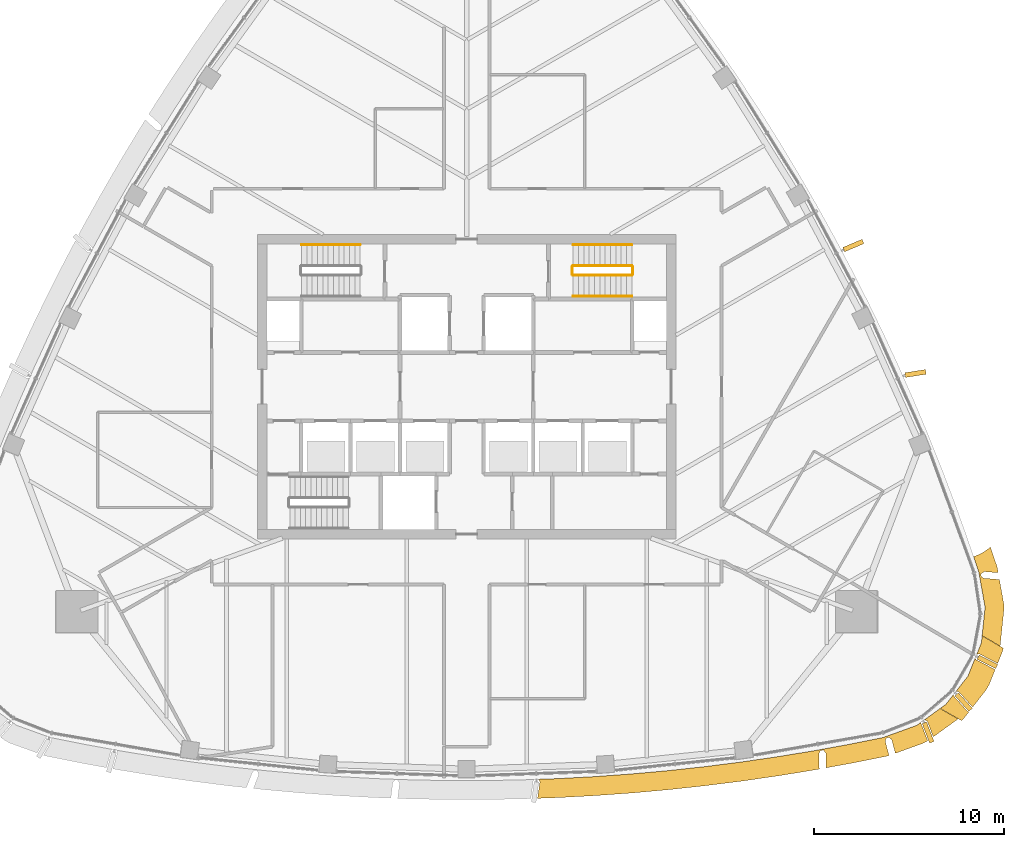
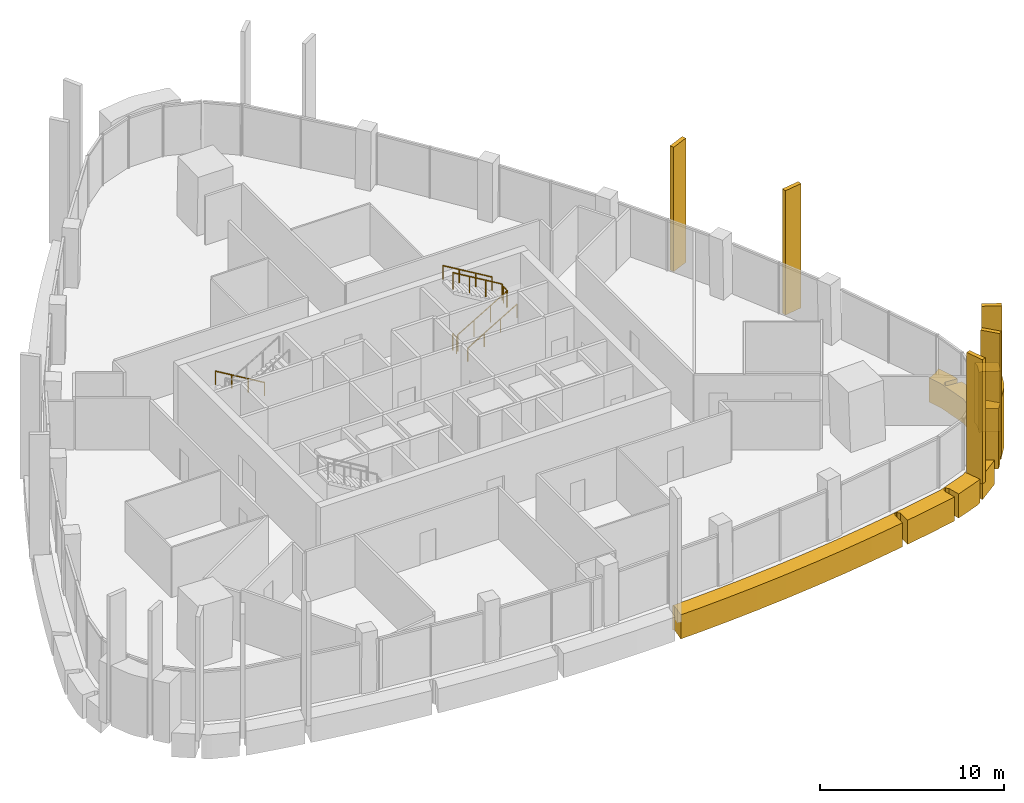
# One storey, part 17 of 19: 11 coverings, 7 railings.
"""IFC4 building model written with IfcOpenShell, lengths in metres."""

from ifc_helpers import new_model, si_unit, direction, frame, origin, origin_2d, place, context, subcontext, project, spatial, polyline, rectangle, circle, outline, extrude, material, layer, layer_set, material_profile, profile_set, type_object, element, save


model = new_model("IFC4")

# Units and contexts
model_context = context("Model", 3, precision=1e-05, world=origin(), true_north=direction((0.0, 1.0)))
body_context = subcontext(model_context, "Body", "Model", "MODEL_VIEW")
ifc_project = project(units=[si_unit("LENGTHUNIT", "METRE"), si_unit("AREAUNIT", "SQUARE_METRE"), si_unit("VOLUMEUNIT", "CUBIC_METRE"), si_unit("PLANEANGLEUNIT", "RADIAN"), si_unit("MASSUNIT", "GRAM", prefix="KILO")], contexts=[model_context])

# Site, building, storey
site_placement = place(None, origin())
site = spatial("IfcSite", under=ifc_project, at=site_placement, CompositionType="ELEMENT")
building_placement = place(site_placement, origin())
building = spatial("IfcBuilding", under=site, at=building_placement, Name="Sierra Prisma Convention Tower", CompositionType="ELEMENT")
storey_placement = place(building_placement, frame((0.0, 0.0, 295.0)))
storey = spatial("IfcBuildingStorey", under=building, at=storey_placement, Name="L67", CompositionType="ELEMENT", Elevation=295.0)

# Coverings
ifc_material_1 = material(Name="Aluminium composite bronze anodised", Category="aluminium")
ifc_layer_1 = layer(ifc_material_1, 1.199951171875)
ifc_layer_set_1 = layer_set([ifc_layer_1], Name="Bronze corner pier")
covering_type_1 = type_object("IfcCoveringType", Name="Bronze corner pier", PredefinedType="CLADDING", material=ifc_layer_set_1)
covering_1_placement = place(storey_placement, frame((0.0, 0.0, -0.60009765625)))
element("IfcCovering", 1, at=covering_1_placement, inside=storey, type_object=covering_type_1, Name="Corner pier SE L67.1", PredefinedType="CLADDING", context=body_context, shape_type="SweptSolid", body=[
    extrude(outline(polyline([(26.783935546875, -14.355712890625), (26.787109375, -14.35986328125), (26.79052734375, -14.363525390625), (26.794189453125, -14.366943359375), (26.79833984375, -14.3701171875), (26.802978515625, -14.37255859375), (27.78271484375, -14.87109375), (27.46337890625, -15.66259765625), (27.2958984375, -15.952880859375), (26.595947265625, -16.847900390625), (25.883056640625, -16.055419921875), (25.8798828125, -16.052001953125), (25.876220703125, -16.049072265625), (25.87255859375, -16.04638671875), (25.868408203125, -16.044189453125), (25.8642578125, -16.042236328125), (25.85986328125, -16.040771484375), (25.855224609375, -16.039794921875), (25.72412109375, -16.014892578125), (26.3505859375, -15.21337890625), (26.7294921875, -14.274169921875), (26.783935546875, -14.355712890625)])), origin(), (0.0, 0.0, 1.0), 4.0),
])
covering_2_placement = place(storey_placement, frame((0.0, 0.0, -0.60009765625)))
element("IfcCovering", 2, at=covering_2_placement, inside=storey, type_object=covering_type_1, Name="Corner pier SE L67.2", PredefinedType="CLADDING", context=body_context, shape_type="SweptSolid", body=[
    extrude(outline(polyline([(26.932373046875, -14.0556640625), (26.811279296875, -14.072021484375), (27.05517578125, -13.46728515625), (27.093017578125, -13.101806640625), (28.210205078125, -13.746826171875), (28.16796875, -13.916259765625), (27.914306640625, -14.54541015625), (26.961669921875, -14.060546875), (26.95703125, -14.05859375), (26.9521484375, -14.056884765625), (26.947265625, -14.055908203125), (26.9423828125, -14.055419921875), (26.937255859375, -14.05517578125), (26.932373046875, -14.0556640625)])), origin(), (0.0, 0.0, 1.0), 4.0),
])
covering_3_placement = place(storey_placement, frame((0.0, 0.0, -0.60009765625)))
element("IfcCovering", 3, at=covering_3_placement, inside=storey, type_object=covering_type_1, Name="Corner pier SE L67.3", PredefinedType="CLADDING", context=body_context, shape_type="SweptSolid", body=[
    extrude(outline(polyline([(26.362060546875, -17.11083984375), (26.36572265625, -17.114013671875), (26.369873046875, -17.11669921875), (26.374267578125, -17.118896484375), (26.378662109375, -17.120849609375), (26.381591796875, -17.121826171875), (26.1357421875, -17.436279296875), (26.010009765625, -17.557373046875), (24.89306640625, -16.912353515625), (25.1904296875, -16.697021484375), (25.58935546875, -16.18701171875), (25.61181640625, -16.269287109375), (25.61328125, -16.273681640625), (25.614990234375, -16.27783203125), (25.617431640625, -16.281982421875), (25.6201171875, -16.285888671875), (25.622802734375, -16.28955078125), (26.358642578125, -17.107421875), (26.362060546875, -17.11083984375)])), origin(), (0.0, 0.0, 1.0), 4.0),
])
ifc_material_2 = material(Name="Aluminium 6063-T6 bronze anodised", Category="aluminium")
ifc_material_profile = material_profile(ifc_material_2, rectangle(XDim=1.10009765625, YDim=0.25, at=origin_2d()), Name="ALU FIN 1100x250")
ifc_profile_set = profile_set([ifc_material_profile], Name="Aluminium 6063-T6 bronze anodised")
covering_type_2 = type_object("IfcCoveringType", Name="Bronze facade fin", PredefinedType="CLADDING", material=ifc_profile_set)
for number, where, z_axis, x_axis, name in (
    (4, (24.253173828125, -18.179931640625, -0.300048828125), (0.0, 0.0, 1.0), (0.357047076279, -0.934086390716, 0.0), "Fin L67.19"),
    (5, (26.120849609375, -16.581298828125, -0.300048828125), (0.0, 0.0, 1.0), (0.668780148318, -0.743460229747, 0.0), "Fin L67.20"),
    (6, (27.372314453125, -14.466064453125, -0.300048828125), (0.0, 0.0, 1.0), (0.891220476103, -0.453570350635, 0.0), "Fin L67.21"),
    (7, (23.5888671875, 0.68994140625, -0.300048828125), (0.0, 0.0, 1.0), (0.988165023923, 0.153394541935, 0.0), "Fin L67.27"),
    (8, (20.3251953125, 7.41552734375, -0.300048828125), (0.0, 0.0, 1.0), (0.920905138339, 0.389786770147, 0.0), "Fin L67.30"),
):
    element("IfcCovering", number, at=place(storey_placement, frame(where, z_axis=z_axis, x_axis=x_axis)), inside=storey, type_object=covering_type_2, Name=name, ObjectType="FIN", PredefinedType="CLADDING", context=body_context, shape_type="SweptSolid", body=[
        extrude(rectangle(XDim=1.10009765625, YDim=0.25, at=origin_2d()), origin(), (0.0, 0.0, 1.0), 8.25),
    ])
ifc_material_3 = material(Name="Aluminium composite bronze anodised", Category="aluminium")
ifc_layer_2 = layer(ifc_material_3, 1.0)
ifc_layer_set_2 = layer_set([ifc_layer_2], Name="Bronze spandrel band")
covering_type_3 = type_object("IfcCoveringType", Name="Bronze spandrel band", PredefinedType="CLADDING", material=ifc_layer_set_2)
covering_4_placement = place(storey_placement, frame((0.0, 0.0, -1.60009765625)))
element("IfcCovering", 9, at=covering_4_placement, inside=storey, type_object=covering_type_3, Name="Spandrel band L67.7", PredefinedType="CLADDING", context=body_context, shape_type="SweptSolid", body=[
    extrude(outline(polyline([(27.219482421875, -9.723388671875), (27.21435546875, -9.7236328125), (27.20947265625, -9.724609375), (27.20458984375, -9.725830078125), (27.2001953125, -9.7275390625), (27.195556640625, -9.729736328125), (27.19140625, -9.732421875), (27.053955078125, -9.828857421875), (27.05029296875, -9.831787109375), (27.046630859375, -9.835205078125), (27.043701171875, -9.838623046875), (27.040771484375, -9.842529296875), (27.038330078125, -9.846435546875), (27.036376953125, -9.850830078125), (27.034912109375, -9.855224609375), (27.03369140625, -9.85986328125), (27.032958984375, -9.864501953125), (27.03271484375, -9.869384765625), (27.03271484375, -9.8740234375), (27.033447265625, -9.878662109375), (27.051025390625, -9.97705078125), (27.05224609375, -9.98193359375), (27.0537109375, -9.986572265625), (27.055908203125, -9.9912109375), (27.058349609375, -9.995361328125), (27.06103515625, -9.99951171875), (27.064453125, -10.003173828125), (27.068115234375, -10.006591796875), (27.072021484375, -10.009521484375), (27.076171875, -10.01220703125), (27.1748046875, -10.06640625), (27.1796875, -10.068603515625), (27.1845703125, -10.0703125), (27.189697265625, -10.071533203125), (27.19482421875, -10.072265625), (28.005615234375, -10.14111328125), (28.23388671875, -11.418212890625), (28.244140625, -11.697265625), (28.0498046875, -13.5703125), (28.0341796875, -13.633544921875), (27.09423828125, -13.091064453125), (27.24951171875, -11.593994140625), (26.91796875, -9.740234375), (26.646484375, -8.936767578125), (26.732421875, -8.9052734375), (26.958984375, -8.809326171875), (27.17529296875, -8.69189453125), (27.379150390625, -8.5537109375), (27.530029296875, -8.42822265625), (27.865478515625, -9.420166015625), (27.90234375, -9.564208984375), (27.94189453125, -9.784423828125), (27.224365234375, -9.7236328125), (27.219482421875, -9.723388671875)])), origin(), (0.0, 0.0, 1.0), 1.60009765625),
])
covering_5_placement = place(storey_placement, frame((0.0, 0.0, -1.60009765625)))
element("IfcCovering", 10, at=covering_5_placement, inside=storey, type_object=covering_type_3, Name="Spandrel band L67.8", PredefinedType="CLADDING", context=body_context, shape_type="SweptSolid", body=[
    extrude(outline(polyline([(24.218505859375, -17.59912109375), (24.2158203125, -17.594970703125), (24.213134765625, -17.5908203125), (24.209716796875, -17.587158203125), (24.206298828125, -17.583740234375), (24.202392578125, -17.58056640625), (24.197998046875, -17.577880859375), (24.071533203125, -17.50732421875), (24.88427734375, -16.918701171875), (25.82421875, -17.46142578125), (25.777099609375, -17.5068359375), (24.52880859375, -18.410888671875), (24.220458984375, -17.603759765625), (24.218505859375, -17.59912109375)])), origin(), (0.0, 0.0, 1.0), 1.60009765625),
])
covering_6_placement = place(storey_placement, frame((0.0, 0.0, -1.60009765625)))
element("IfcCovering", 11, at=covering_6_placement, inside=storey, type_object=covering_type_3, Name="Spandrel band L67.9", PredefinedType="CLADDING", context=body_context, shape_type="SweptSolid", body=[
    extrude(outline(polyline([(22.179931640625, -18.435302734375), (22.17529296875, -18.43603515625), (22.17041015625, -18.43701171875), (22.166015625, -18.438232421875), (22.072021484375, -18.472412109375), (22.0673828125, -18.47412109375), (22.06298828125, -18.4765625), (22.05908203125, -18.479248046875), (22.055419921875, -18.482177734375), (22.052001953125, -18.485595703125), (22.048828125, -18.489501953125), (22.046142578125, -18.493408203125), (22.043701171875, -18.497802734375), (22.0419921875, -18.502197265625), (22.04052734375, -18.5068359375), (22.00732421875, -18.634765625), (22.00634765625, -18.639892578125), (22.005859375, -18.644775390625), (22.005859375, -18.64990234375), (22.006591796875, -18.655029296875), (22.007568359375, -18.66015625), (22.201416015625, -19.39111328125), (22.0908203125, -19.422119140625), (20.210693359375, -19.798583984375), (20.19287109375, -19.802001953125), (18.8828125, -20.039794921875), (18.879150390625, -19.287109375), (18.87890625, -19.282470703125), (18.87841796875, -19.27783203125), (18.877197265625, -19.2734375), (18.875732421875, -19.26904296875), (18.873779296875, -19.2646484375), (18.87158203125, -19.2607421875), (18.868896484375, -19.2568359375), (18.771484375, -19.130615234375), (18.768310546875, -19.126708984375), (18.764892578125, -19.123291015625), (18.760986328125, -19.1201171875), (18.756591796875, -19.117431640625), (18.752197265625, -19.115234375), (18.74755859375, -19.113525390625), (18.742919921875, -19.1123046875), (18.73779296875, -19.111328125), (18.73291015625, -19.111083984375), (18.72802734375, -19.111083984375), (18.722900390625, -19.11181640625), (18.62451171875, -19.129638671875), (18.61962890625, -19.130859375), (18.61474609375, -19.132568359375), (18.610107421875, -19.134765625), (18.605712890625, -19.137451171875), (18.6015625, -19.140380859375), (18.59765625, -19.14404296875), (18.59423828125, -19.14794921875), (18.59130859375, -19.152099609375), (18.5888671875, -19.156494140625), (18.534423828125, -19.266357421875), (18.532470703125, -19.2705078125), (18.531005859375, -19.275146484375), (18.530029296875, -19.279541015625), (18.529296875, -19.2841796875), (18.529296875, -19.288818359375), (18.533203125, -20.103515625), (18.306396484375, -20.14453125), (18.288818359375, -20.147705078125), (16.396240234375, -20.456298828125), (16.37841796875, -20.458984375), (14.480712890625, -20.733642578125), (14.462890625, -20.736083984375), (12.560791015625, -20.9765625), (12.542724609375, -20.978759765625), (10.636474609375, -21.18505859375), (10.61865234375, -21.186767578125), (8.708984375, -21.35888671875), (8.69091796875, -21.360107421875), (6.778564453125, -21.497802734375), (6.760498046875, -21.4990234375), (4.845947265625, -21.602294921875), (4.827880859375, -21.60302734375), (3.727294921875, -21.642578125), (3.846435546875, -20.788330078125), (3.8466796875, -20.78369140625), (3.8466796875, -20.779052734375), (3.846435546875, -20.7744140625), (3.845458984375, -20.769775390625), (3.84423828125, -20.765380859375), (3.842529296875, -20.760986328125), (3.84033203125, -20.7568359375), (3.77490234375, -20.640380859375), (4.7919921875, -20.603759765625), (6.706787109375, -20.50048828125), (8.619140625, -20.36279296875), (10.52880859375, -20.19091796875), (12.435302734375, -19.984619140625), (14.337646484375, -19.743896484375), (16.235107421875, -19.469482421875), (18.127685546875, -19.16064453125), (20.01416015625, -18.818115234375), (21.894287109375, -18.44140625), (23.66552734375, -17.801513671875), (23.89404296875, -17.635986328125), (23.89013671875, -17.708251953125), (23.89013671875, -17.71337890625), (23.890869140625, -17.71875), (23.891845703125, -17.723876953125), (23.893310546875, -17.728759765625), (24.234375, -18.620849609375), (24.00537109375, -18.7421875), (22.532470703125, -19.2744140625), (22.345703125, -18.5703125), (22.34423828125, -18.5654296875), (22.34228515625, -18.560791015625), (22.33984375, -18.556396484375), (22.3369140625, -18.552490234375), (22.33349609375, -18.548583984375), (22.330078125, -18.545166015625), (22.21533203125, -18.447265625), (22.211669921875, -18.4443359375), (22.20751953125, -18.44189453125), (22.203369140625, -18.439697265625), (22.19873046875, -18.43798828125), (22.194091796875, -18.4365234375), (22.189453125, -18.435791015625), (22.184814453125, -18.435302734375), (22.179931640625, -18.435302734375)])), origin(), (0.0, 0.0, 1.0), 1.60009765625),
])

# Railings
ifc_material_4 = material(Name="Stainless steel", Category="steel")
railing_type_1 = type_object("IfcRailingType", Name="Exit stair handrail", PredefinedType="HANDRAIL", material=ifc_material_4)
railing_1_placement = place(storey_placement, frame((-5.60009765625, 7.449951171875, 0.166748046875)))
element("IfcRailing", 12, at=railing_1_placement, inside=storey, type_object=railing_type_1, Name="L67 S3 stair handrail 1", PredefinedType="HANDRAIL", context=body_context, shape_type="SweptSolid", body=[
    extrude(circle(Radius=0.02392578125, at=origin_2d()), frame((0.0, 0.0, 0.8759765625), z_axis=(-0.859290745958, 0.0, 0.51148745235), x_axis=(0.0, -1.0, 0.0)), (0.0, 0.0, 1.0), 3.584228515625),
    extrude(circle(Radius=0.02099609375, at=origin_2d()), origin(), (0.0, 0.0, 1.0), 0.851806640625),
    extrude(circle(Radius=0.02099609375, at=origin_2d()), frame((-1.026611328125, 0.0, 0.611083984375)), (0.0, 0.0, 1.0), 0.851806640625),
    extrude(circle(Radius=0.02099609375, at=origin_2d()), frame((-2.05322265625, 0.0, 1.22216796875)), (0.0, 0.0, 1.0), 0.851806640625),
    extrude(circle(Radius=0.02099609375, at=origin_2d()), frame((-3.079833984375, 0.0, 1.833251953125)), (0.0, 0.0, 1.0), 0.851806640625),
])
railing_2_placement = place(storey_placement, frame((5.60009765625, 4.75, 0.166748046875)))
element("IfcRailing", 13, at=railing_2_placement, inside=storey, type_object=railing_type_1, Name="L67 S4 stair handrail 1", PredefinedType="HANDRAIL", context=body_context, shape_type="SweptSolid", body=[
    extrude(circle(Radius=0.02392578125, at=origin_2d()), frame((0.0, 0.0, 0.8759765625), z_axis=(0.859290745958, 0.0, 0.51148745235), x_axis=(0.0, 1.0, 0.0)), (0.0, 0.0, 1.0), 3.584228515625),
    extrude(circle(Radius=0.02099609375, at=origin_2d()), origin(), (0.0, 0.0, 1.0), 0.851806640625),
    extrude(circle(Radius=0.02099609375, at=origin_2d()), frame((1.026611328125, 0.0, 0.611083984375)), (0.0, 0.0, 1.0), 0.851806640625),
    extrude(circle(Radius=0.02099609375, at=origin_2d()), frame((2.05322265625, 0.0, 1.22216796875)), (0.0, 0.0, 1.0), 0.851806640625),
    extrude(circle(Radius=0.02099609375, at=origin_2d()), frame((3.079833984375, 0.0, 1.833251953125)), (0.0, 0.0, 1.0), 0.851806640625),
])
railing_3_placement = place(storey_placement, frame((8.679931640625, 7.449951171875, 2.166748046875)))
element("IfcRailing", 14, at=railing_3_placement, inside=storey, type_object=railing_type_1, Name="L67 S4 stair handrail 2", PredefinedType="HANDRAIL", context=body_context, shape_type="SweptSolid", body=[
    extrude(circle(Radius=0.02392578125, at=origin_2d()), frame((0.0, 0.0, 0.8759765625), z_axis=(-0.859290745958, 0.0, 0.51148745235), x_axis=(0.0, -1.0, 0.0)), (0.0, 0.0, 1.0), 3.584228515625),
    extrude(circle(Radius=0.02099609375, at=origin_2d()), origin(), (0.0, 0.0, 1.0), 0.851806640625),
    extrude(circle(Radius=0.02099609375, at=origin_2d()), frame((-1.026611328125, 0.0, 0.611083984375)), (0.0, 0.0, 1.0), 0.851806640625),
    extrude(circle(Radius=0.02099609375, at=origin_2d()), frame((-2.05322265625, 0.0, 1.22216796875)), (0.0, 0.0, 1.0), 0.851806640625),
    extrude(circle(Radius=0.02099609375, at=origin_2d()), frame((-3.079833984375, 0.0, 1.833251953125)), (0.0, 0.0, 1.0), 0.851806640625),
])
ifc_material_5 = material(Name="Stainless steel", Category="steel")
railing_type_2 = type_object("IfcRailingType", Name="Stair guard 1100", PredefinedType="GUARDRAIL", material=ifc_material_5)
railing_4_placement = place(storey_placement, frame((5.60009765625, 5.85009765625, 0.166748046875)))
element("IfcRailing", 15, at=railing_4_placement, inside=storey, type_object=railing_type_2, Name="L67 S4 stair guard 1", PredefinedType="GUARDRAIL", context=body_context, shape_type="SweptSolid", body=[
    extrude(circle(Radius=0.02392578125, at=origin_2d()), frame((0.0, 0.0, 1.076171875), z_axis=(0.859290745958, 0.0, 0.51148745235), x_axis=(0.0, 1.0, 0.0)), (0.0, 0.0, 1.0), 3.584228515625),
    extrude(circle(Radius=0.02099609375, at=origin_2d()), origin(), (0.0, 0.0, 1.0), 1.052001953125),
    extrude(circle(Radius=0.02099609375, at=origin_2d()), frame((1.026611328125, 0.0, 0.611083984375)), (0.0, 0.0, 1.0), 1.052001953125),
    extrude(circle(Radius=0.02099609375, at=origin_2d()), frame((2.05322265625, 0.0, 1.22216796875)), (0.0, 0.0, 1.0), 1.052001953125),
    extrude(circle(Radius=0.02099609375, at=origin_2d()), frame((3.079833984375, 0.0, 1.833251953125)), (0.0, 0.0, 1.0), 1.052001953125),
])
railing_5_placement = place(storey_placement, frame((8.72998046875, 5.89990234375, 2.0)))
element("IfcRailing", 16, at=railing_5_placement, inside=storey, type_object=railing_type_2, Name="L67 S4 stair guard 2", PredefinedType="GUARDRAIL", context=body_context, shape_type="SweptSolid", body=[
    extrude(circle(Radius=0.02392578125, at=origin_2d()), frame((0.0, 0.0, 1.076171875), z_axis=(0.0, 1.0, 0.0), x_axis=(-1.0, 0.0, 0.0)), (0.0, 0.0, 1.0), 0.400146484375),
    extrude(circle(Radius=0.02099609375, at=origin_2d()), origin(), (0.0, 0.0, 1.0), 1.052001953125),
    extrude(circle(Radius=0.02099609375, at=origin_2d()), frame((0.0, 0.400146484375, 0.0)), (0.0, 0.0, 1.0), 1.052001953125),
])
railing_6_placement = place(storey_placement, frame((8.679931640625, 6.35009765625, 2.166748046875)))
element("IfcRailing", 17, at=railing_6_placement, inside=storey, type_object=railing_type_2, Name="L67 S4 stair guard 3", PredefinedType="GUARDRAIL", context=body_context, shape_type="SweptSolid", body=[
    extrude(circle(Radius=0.02392578125, at=origin_2d()), frame((0.0, 0.0, 1.076171875), z_axis=(-0.859290745958, 0.0, 0.51148745235), x_axis=(0.0, -1.0, 0.0)), (0.0, 0.0, 1.0), 3.584228515625),
    extrude(circle(Radius=0.02099609375, at=origin_2d()), origin(), (0.0, 0.0, 1.0), 1.052001953125),
    extrude(circle(Radius=0.02099609375, at=origin_2d()), frame((-1.026611328125, 0.0, 0.611083984375)), (0.0, 0.0, 1.0), 1.052001953125),
    extrude(circle(Radius=0.02099609375, at=origin_2d()), frame((-2.05322265625, 0.0, 1.22216796875)), (0.0, 0.0, 1.0), 1.052001953125),
    extrude(circle(Radius=0.02099609375, at=origin_2d()), frame((-3.079833984375, 0.0, 1.833251953125)), (0.0, 0.0, 1.0), 1.052001953125),
])
railing_7_placement = place(storey_placement, frame((5.550048828125, 5.89990234375, 0.0)))
element("IfcRailing", 18, at=railing_7_placement, inside=storey, type_object=railing_type_2, Name="L67 S4 stair guard 4", PredefinedType="GUARDRAIL", context=body_context, shape_type="SweptSolid", body=[
    extrude(circle(Radius=0.02392578125, at=origin_2d()), frame((0.0, 0.0, 1.076171875), z_axis=(0.0, 1.0, 0.0), x_axis=(-1.0, 0.0, 0.0)), (0.0, 0.0, 1.0), 0.400146484375),
    extrude(circle(Radius=0.02099609375, at=origin_2d()), origin(), (0.0, 0.0, 1.0), 1.052001953125),
    extrude(circle(Radius=0.02099609375, at=origin_2d()), frame((0.0, 0.400146484375, 0.0)), (0.0, 0.0, 1.0), 1.052001953125),
])

save(model, "model.ifc")
